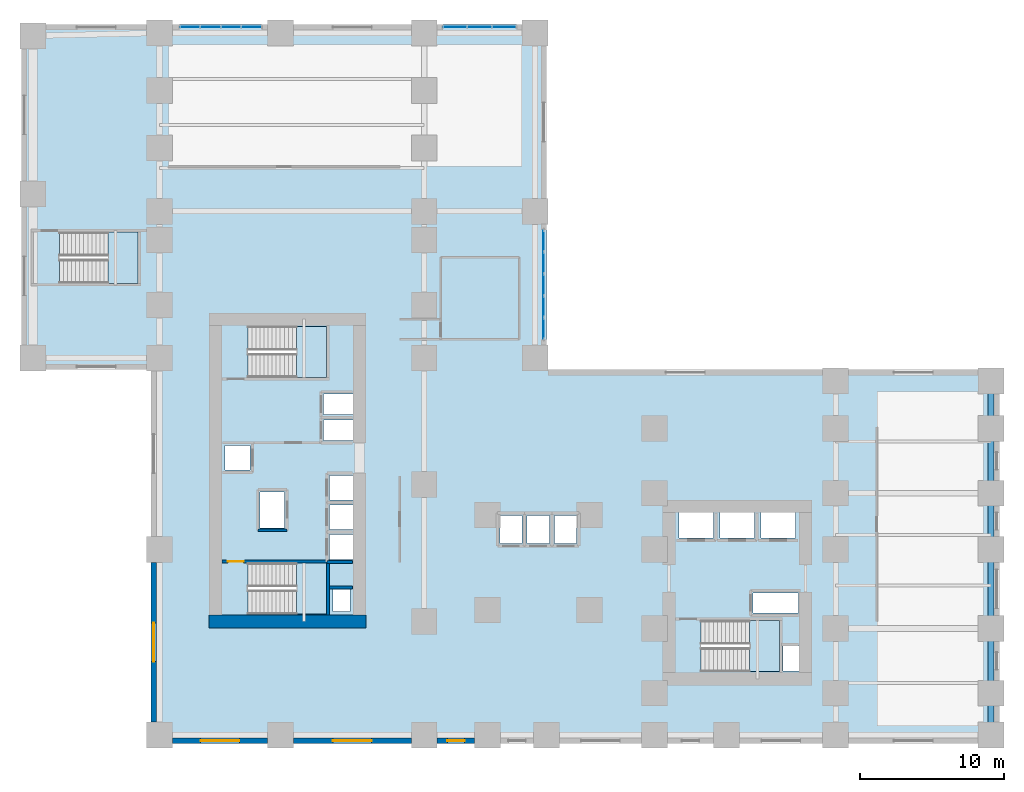
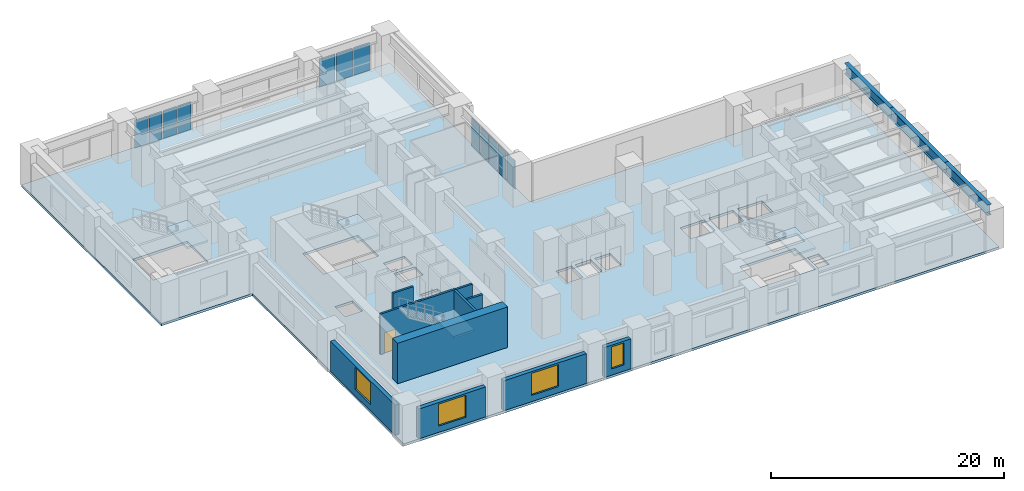
# One storey, part 6 of 13: 12 plates, 10 walls, 5 slabs, 4 windows, 3 beams, 1 door, 5 openings, 7 elements without a shape of their own.
"""IFC4 building model written with IfcOpenShell, lengths in metres."""

import ifcopenshell
import ifcopenshell.guid

model = None  # the IFC model being written
_history = None  # IfcOwnerHistory: only IFC2X3 demands one
_inside = {}  # id of a spatial element -> (the spatial element, [elements in it])
_under = {}  # id of a project, library or spatial element -> (it, [spatial elements below it])
_declared = {}  # id of a project -> (the project, [libraries it declares])
_typed = {}  # id of a type object -> (the type object, [elements of that type])
_made_of = {}  # id of a material, layer set ... -> (it, [elements and type objects made of it])


def new_model(schema):
    """Start an empty IFC model of exactly this schema.

    Asked for "IFC4X3", IfcOpenShell would pick the latest addendum, in which some entities
    have other attributes; the version numbers below select the first issue.
    IFC2X3 requires an IfcOwnerHistory on every rooted entity: one is made here for all.
    """
    global model, _history
    if schema == "IFC4X3":
        model = ifcopenshell.file(schema_version=(4, 3, 0, 0))
    else:
        model = ifcopenshell.file(schema=schema)
    _inside.clear()
    _under.clear()
    _declared.clear()
    _typed.clear()
    _made_of.clear()
    _history = None
    if model.schema == "IFC2X3":
        org = make("IfcOrganization", Name="unknown")
        user = make(
            "IfcPersonAndOrganization",
            ThePerson=make("IfcPerson", FamilyName="unknown"),
            TheOrganization=org,
        )
        app = make(
            "IfcApplication",
            ApplicationDeveloper=org,
            Version="unknown",
            ApplicationFullName="unknown",
            ApplicationIdentifier="unknown",
        )
        _history = make(
            "IfcOwnerHistory",
            OwningUser=user,
            OwningApplication=app,
            ChangeAction="ADDED",
            CreationDate=0,
        )
    return model


def make(cls, **values):
    """One entity of the class cls with the attributes given. An attribute that is None is left unset."""
    return model.create_entity(
        cls, **{name: value for name, value in values.items() if value is not None}
    )


def rooted(cls, **values):
    """An entity with a GlobalId (a new one), such as an element, a storey or a relation."""
    return make(cls, GlobalId=ifcopenshell.guid.new(), OwnerHistory=_history, **values)


def si_unit(unit_type, name, prefix=None):
    """IfcSIUnit, for example si_unit("LENGTHUNIT", "METRE", prefix="MILLI")."""
    return make("IfcSIUnit", UnitType=unit_type, Prefix=prefix, Name=name)


def assignment(units):
    """IfcUnitAssignment: the units of a project."""
    return None if units is None else make("IfcUnitAssignment", Units=units)


def point(xyz):
    """IfcCartesianPoint."""
    return None if xyz is None else make("IfcCartesianPoint", Coordinates=xyz)


def direction(xyz):
    """IfcDirection."""
    return None if xyz is None else make("IfcDirection", DirectionRatios=xyz)


def frame(location, z_axis=None, x_axis=None):
    """IfcAxis2Placement3D, a coordinate frame: its origin and axes. An axis left out is left unset."""
    return make(
        "IfcAxis2Placement3D",
        Location=point(location),
        Axis=direction(z_axis),
        RefDirection=direction(x_axis),
    )


def frame_2d(location, x_axis=None):
    """IfcAxis2Placement2D, a coordinate frame in the plane: its origin and x axis."""
    return make(
        "IfcAxis2Placement2D", Location=point(location), RefDirection=direction(x_axis)
    )


def origin():
    """The frame at (0, 0, 0) with its axes left unset."""
    return frame((0.0, 0.0, 0.0))


def origin_2d():
    """The frame at (0, 0) in the plane with its x axis left unset."""
    return frame_2d((0.0, 0.0))


def place(relative_to, where):
    """IfcLocalPlacement: puts the frame where relative to a parent placement (None: the world)."""
    return make(
        "IfcLocalPlacement", PlacementRelTo=relative_to, RelativePlacement=where
    )


def context(
    kind, dimensions, precision=None, world=None, true_north=None, identifier=None
):
    """IfcGeometricRepresentationContext, for example the 3D "Model" context."""
    return make(
        "IfcGeometricRepresentationContext",
        ContextIdentifier=identifier,
        ContextType=kind,
        CoordinateSpaceDimension=dimensions,
        Precision=precision,
        WorldCoordinateSystem=world,
        TrueNorth=true_north,
    )


def subcontext(parent, identifier, kind, view, scale=None):
    """IfcGeometricRepresentationSubContext, for example "Body" below "Model"."""
    return make(
        "IfcGeometricRepresentationSubContext",
        ContextIdentifier=identifier,
        ContextType=kind,
        ParentContext=parent,
        TargetScale=scale,
        TargetView=view,
    )


def project(units=None, contexts=None):
    """IfcProject with its units and contexts."""
    return rooted(
        "IfcProject",
        Name="project",
        RepresentationContexts=contexts,
        UnitsInContext=assignment(units),
    )


def spatial(cls, under=None, at=None, **own):
    """A site, building, storey or space (cls), placed at a placement, below another one or the project."""
    s = rooted(cls, ObjectPlacement=at, **own)
    if under is not None:
        _under.setdefault(under.id(), (under, []))[1].append(s)
    return s


def polyline(points):
    """IfcPolyline through the points."""
    return make("IfcPolyline", Points=[point(p) for p in points])


def profile(cls, at=None, kind="AREA", **sizes):
    """A parametric profile (cls). Its sizes go by their IFC names, for example OverallWidth=200.0."""
    return make(cls, ProfileType=kind, Position=at, **sizes)


def rectangle(**sizes):
    """IfcRectangleProfileDef."""
    return profile("IfcRectangleProfileDef", **sizes)


def i_section(**sizes):
    """IfcIShapeProfileDef."""
    return profile("IfcIShapeProfileDef", **sizes)


def outline(outer, holes=None, kind="AREA"):
    """IfcArbitraryClosedProfileDef: a profile drawn as a closed curve; with holes, ...WithVoids."""
    if holes is None:
        return make("IfcArbitraryClosedProfileDef", ProfileType=kind, OuterCurve=outer)
    return make(
        "IfcArbitraryProfileDefWithVoids",
        ProfileType=kind,
        OuterCurve=outer,
        InnerCurves=holes,
    )


def extrude(swept, where, along, depth):
    """IfcExtrudedAreaSolid: the profile swept, set in the frame where, extruded along a direction by depth."""
    return make(
        "IfcExtrudedAreaSolid",
        SweptArea=swept,
        Position=where,
        ExtrudedDirection=direction(along),
        Depth=depth,
    )


def shape(context_of_items, identifier, shape_type, items):
    """IfcShapeRepresentation: the items that make up one representation, for example the "Body"."""
    return make(
        "IfcShapeRepresentation",
        ContextOfItems=context_of_items,
        RepresentationIdentifier=identifier,
        RepresentationType=shape_type,
        Items=items,
    )


def source(mapping_origin, context_of_items, identifier, shape_type, items):
    """IfcRepresentationMap: a shape defined once, which mapped items show again and again."""
    return make(
        "IfcRepresentationMap",
        MappingOrigin=mapping_origin,
        MappedRepresentation=shape(context_of_items, identifier, shape_type, items),
    )


def transform(
    local_origin,
    x_axis=None,
    y_axis=None,
    z_axis=None,
    scale=None,
    scale2=None,
    scale3=None,
    uniform=True,
):
    """IfcCartesianTransformationOperator3D, or its non-uniform kind. x_axis, y_axis, z_axis: its Axis1, 2, 3."""
    if uniform:
        return make(
            "IfcCartesianTransformationOperator3D",
            Axis1=direction(x_axis),
            Axis2=direction(y_axis),
            LocalOrigin=point(local_origin),
            Scale=scale,
            Axis3=direction(z_axis),
        )
    return make(
        "IfcCartesianTransformationOperator3DnonUniform",
        Axis1=direction(x_axis),
        Axis2=direction(y_axis),
        LocalOrigin=point(local_origin),
        Scale=scale,
        Axis3=direction(z_axis),
        Scale2=scale2,
        Scale3=scale3,
    )


def mapped(mapping_source, mapping_target):
    """IfcMappedItem: shows the shape of a source again, moved by a transform."""
    return make(
        "IfcMappedItem", MappingSource=mapping_source, MappingTarget=mapping_target
    )


def material(Name=None, Category=None):
    """IfcMaterial."""
    return make("IfcMaterial", Name=Name, Category=Category)


def layer(
    of_material, thickness, ventilated=None, Name=None, Category=None, Priority=None
):
    """IfcMaterialLayer: one layer of a wall or slab, of a material (None: an air gap)."""
    return make(
        "IfcMaterialLayer",
        Material=of_material,
        LayerThickness=thickness,
        IsVentilated=ventilated,
        Name=Name,
        Category=Category,
        Priority=Priority,
    )


def layer_set(layers, Name=None):
    """IfcMaterialLayerSet."""
    return make("IfcMaterialLayerSet", MaterialLayers=layers, LayerSetName=Name)


def material_profile(
    of_material, cross_section, Name=None, Category=None, Priority=None
):
    """IfcMaterialProfile: a cross section and its material."""
    return make(
        "IfcMaterialProfile",
        Name=Name,
        Material=of_material,
        Profile=cross_section,
        Priority=Priority,
        Category=Category,
    )


def profile_set(profiles, Name=None, composite=None):
    """IfcMaterialProfileSet."""
    return make(
        "IfcMaterialProfileSet",
        Name=Name,
        MaterialProfiles=profiles,
        CompositeProfile=composite,
    )


def made_of(thing, what):
    """Note that an element or type object is made of a material, layer set ...; save() writes the relation."""
    if what is not None:
        _made_of.setdefault(what.id(), (what, []))[1].append(thing)
    return thing


def type_object(cls, material=None, **own):
    """A type object (cls), such as IfcWallType, which elements share."""
    return made_of(rooted(cls, **own), material)


def element(
    cls,
    number,
    at=None,
    inside=None,
    cuts=None,
    type_object=None,
    material=None,
    context=None,
    identifier="Body",
    shape_type=None,
    held_by="IfcProductDefinitionShape",
    body=None,
    shapes=None,
    **own,
):
    """One element of the class cls, such as IfcWall. Its Tag is "e" and its number.

    at: its placement. inside: the storey or other place that contains it. cuts: it is an
    opening in that element (IfcRelVoidsElement). A single representation is given by context,
    identifier, shape_type and body (its items); several are given by shapes. held_by: the class
    of the entity that holds the representations. save() writes the other relations.
    """
    e = rooted(cls, Tag="e%d" % number, ObjectPlacement=at, **own)
    if body is not None:
        shapes = [shape(context, identifier, shape_type, body)]
    if shapes is not None:
        e.Representation = make(held_by, Representations=shapes)
    if inside is not None:
        _inside.setdefault(inside.id(), (inside, []))[1].append(e)
    if cuts is not None:
        rooted(
            "IfcRelVoidsElement", RelatingBuildingElement=cuts, RelatedOpeningElement=e
        )
    if type_object is not None:
        _typed.setdefault(type_object.id(), (type_object, []))[1].append(e)
    return made_of(e, material)


def fill(opening, filler):
    """IfcRelFillsElement: the door or window that sits in an opening."""
    return rooted(
        "IfcRelFillsElement",
        RelatingOpeningElement=opening,
        RelatedBuildingElement=filler,
    )


def aggregate(whole, parts):
    """IfcRelAggregates: a whole, such as a stair, and the parts it consists of."""
    return rooted("IfcRelAggregates", RelatingObject=whole, RelatedObjects=parts)


def save(model, path):
    """Write the relations noted so far, then the file.

    IfcRelAggregates (storeys below a building ...), IfcRelContainedInSpatialStructure (elements
    in a storey), IfcRelDefinesByType, IfcRelAssociatesMaterial and IfcRelDeclares: one each for
    every whole, place, type object, material and project.
    """
    for whole, parts in _under.values():
        aggregate(whole, parts)
    for where, things in _inside.values():
        rooted(
            "IfcRelContainedInSpatialStructure",
            RelatedElements=things,
            RelatingStructure=where,
        )
    for kind, things in _typed.values():
        rooted("IfcRelDefinesByType", RelatedObjects=things, RelatingType=kind)
    for what, things in _made_of.values():
        rooted("IfcRelAssociatesMaterial", RelatedObjects=things, RelatingMaterial=what)
    for by, libraries in _declared.values():
        rooted("IfcRelDeclares", RelatingContext=by, RelatedDefinitions=libraries)
    model.write(path)


model = new_model("IFC4")

# Units and contexts
model_context = context("Model", 3, precision=1e-05, world=origin(), true_north=direction((0.0, 1.0)))
body_context = subcontext(model_context, "Body", "Model", "MODEL_VIEW")
ifc_project = project(units=[si_unit("LENGTHUNIT", "METRE"), si_unit("AREAUNIT", "SQUARE_METRE"), si_unit("VOLUMEUNIT", "CUBIC_METRE"), si_unit("PLANEANGLEUNIT", "RADIAN"), si_unit("MASSUNIT", "GRAM", prefix="KILO")], contexts=[model_context])

# Site, building, storey
site_placement = place(None, origin())
site = spatial("IfcSite", under=ifc_project, at=site_placement, CompositionType="ELEMENT")
building_placement = place(site_placement, origin())
building = spatial("IfcBuilding", under=site, at=building_placement, Name="Kharzan Plaza Tower", CompositionType="ELEMENT")
storey_placement = place(building_placement, frame((0.0, 0.0, 4.5)))
storey = spatial("IfcBuildingStorey", under=building, at=storey_placement, Name="L01", CompositionType="ELEMENT", Elevation=4.5)

# Beams
ifc_material_1 = material(Name="Steel S355", Category="steel")
ifc_material_profile = material_profile(ifc_material_1, i_section(OverallWidth=0.39990234375, OverallDepth=1.10009765625, WebThickness=0.02001953125, FlangeThickness=0.035888671875, at=origin_2d()), Name="W1100x390")
ifc_profile_set = profile_set([ifc_material_profile], Name="Steel S355")
beam_type = type_object("IfcBeamType", Name="BM-PG1100B", PredefinedType="BEAM", material=ifc_profile_set)
shared_shape_1 = source(origin(), body_context, "Body", "SweptSolid", [
    extrude(i_section(OverallWidth=0.39990234375, OverallDepth=1.10009765625, WebThickness=0.02001953125, FlangeThickness=0.035888671875, at=origin_2d()), origin(), (0.0, 0.0, 1.0), 7.39990234375),
])
beam_1_placement = place(storey_placement, frame((58.39990234375, 0.60009765625, 3.699951171875), z_axis=(0.0, 1.0, 0.0), x_axis=(-1.0, 0.0, 0.0)))
element("IfcBeam", 1, at=beam_1_placement, inside=storey, type_object=beam_type, Name="L01 Podium Primary Girder PG-25", PredefinedType="BEAM", context=body_context, shape_type="MappedRepresentation", body=[
    mapped(shared_shape_1, transform((0.0, 0.0, 0.0), x_axis=(1.0, 0.0, 0.0), y_axis=(0.0, 1.0, 0.0), z_axis=(0.0, 0.0, 1.0))),
])
shared_shape_2 = source(origin(), body_context, "Body", "SweptSolid", [
    extrude(i_section(OverallWidth=0.39990234375, OverallDepth=1.10009765625, WebThickness=0.02001953125, FlangeThickness=0.035888671875, at=origin_2d()), origin(), (0.0, 0.0, 1.0), 9.39990234375),
])
beam_2_placement = place(storey_placement, frame((58.39990234375, 8.0, 3.699951171875), z_axis=(0.0, 1.0, 0.0), x_axis=(-1.0, 0.0, 0.0)))
element("IfcBeam", 2, at=beam_2_placement, inside=storey, type_object=beam_type, Name="L01 Podium Primary Girder PG-26", PredefinedType="BEAM", context=body_context, shape_type="MappedRepresentation", body=[
    mapped(shared_shape_2, transform((0.0, 0.0, 0.0), x_axis=(1.0, 0.0, 0.0), y_axis=(0.0, 1.0, 0.0), z_axis=(0.0, 0.0, 1.0))),
])
shared_shape_3 = source(origin(), body_context, "Body", "SweptSolid", [
    extrude(i_section(OverallWidth=0.39990234375, OverallDepth=1.10009765625, WebThickness=0.02001953125, FlangeThickness=0.035888671875, at=origin_2d()), origin(), (0.0, 0.0, 1.0), 7.800048828125),
])
beam_3_placement = place(storey_placement, frame((58.39990234375, 17.39990234375, 3.699951171875), z_axis=(0.0, 1.0, 0.0), x_axis=(-1.0, 0.0, 0.0)))
element("IfcBeam", 3, at=beam_3_placement, inside=storey, type_object=beam_type, Name="L01 Podium Primary Girder PG-27", PredefinedType="BEAM", context=body_context, shape_type="MappedRepresentation", body=[
    mapped(shared_shape_3, transform((0.0, 0.0, 0.0), x_axis=(1.0, 0.0, 0.0), y_axis=(0.0, 1.0, 0.0), z_axis=(0.0, 0.0, 1.0))),
])

# Slab
ifc_material_2 = material(Name="Concrete C40/50", Category="concrete")
ifc_layer_1 = layer(ifc_material_2, 0.25)
ifc_layer_set_1 = layer_set([ifc_layer_1], Name="Concrete C40/50")
slab_type_1 = type_object("IfcSlabType", Name="SL-FLOOR-250", PredefinedType="FLOOR", material=ifc_layer_set_1)
slab_1_placement = place(storey_placement, frame((0.0, 0.0, -0.25)))
element("IfcSlab", 4, at=slab_1_placement, inside=storey, type_object=slab_type_1, Name="L01 Composite Structural Floor Slab 250 mm", PredefinedType="FLOOR", context=body_context, shape_type="SweptSolid", body=[
    extrude(outline(polyline([(59.0, 0.0), (59.0, 26.0), (27.5, 26.0), (27.5, 50.0), (-9.0, 50.0), (-9.0, 26.0), (0.0, 26.0), (0.0, 0.0), (59.0, 0.0)]), holes=[polyline([(12.199951171875, 9.0), (12.199951171875, 12.550048828125), (6.75, 12.550048828125), (6.75, 9.0), (12.199951171875, 9.0)]), polyline([(14.10009765625, 12.800048828125), (14.10009765625, 14.530029296875), (12.39990234375, 14.530029296875), (12.39990234375, 12.800048828125), (14.10009765625, 12.800048828125)]), polyline([(14.10009765625, 14.8701171875), (14.10009765625, 16.60009765625), (12.39990234375, 16.60009765625), (12.39990234375, 14.8701171875), (14.10009765625, 14.8701171875)]), polyline([(7.60009765625, 15.0), (9.300048828125, 15.0), (9.300048828125, 17.5), (7.60009765625, 17.5), (7.60009765625, 15.0)]), polyline([(12.39990234375, 16.93994140625), (14.10009765625, 16.93994140625), (14.10009765625, 18.64990234375), (12.39990234375, 18.64990234375), (12.39990234375, 16.93994140625)]), polyline([(6.89990234375, 19.010009765625), (6.89990234375, 20.72998046875), (5.14990234375, 20.72998046875), (5.14990234375, 19.010009765625), (6.89990234375, 19.010009765625)]), polyline([(14.10009765625, 21.070068359375), (14.10009765625, 22.489990234375), (12.0, 22.489990234375), (12.0, 21.070068359375), (14.10009765625, 21.070068359375)]), polyline([(14.10009765625, 22.8701171875), (14.10009765625, 24.2900390625), (12.0, 24.2900390625), (12.0, 22.8701171875), (14.10009765625, 22.8701171875)]), polyline([(6.75, 25.449951171875), (12.199951171875, 25.449951171875), (12.199951171875, 29.0), (6.75, 29.0), (6.75, 25.449951171875)]), polyline([(-6.35009765625, 32.0), (-0.89990234375, 32.0), (-0.89990234375, 35.550048828125), (-6.35009765625, 35.550048828125), (-6.35009765625, 32.0)]), polyline([(45.050048828125, 5.050048828125), (45.050048828125, 6.800048828125), (43.949951171875, 6.800048828125), (43.949951171875, 5.050048828125), (45.050048828125, 5.050048828125)]), polyline([(43.699951171875, 5.0), (43.699951171875, 8.550048828125), (38.25, 8.550048828125), (38.25, 5.0), (43.699951171875, 5.0)]), polyline([(45.0, 9.070068359375), (45.0, 10.469970703125), (41.85009765625, 10.469970703125), (41.85009765625, 9.070068359375), (45.0, 9.070068359375)]), polyline([(12.64990234375, 9.199951171875), (13.85009765625, 9.199951171875), (13.85009765625, 10.699951171875), (12.64990234375, 10.699951171875), (12.64990234375, 9.199951171875)]), polyline([(24.25, 13.89990234375), (25.800048828125, 13.89990234375), (25.800048828125, 15.85009765625), (24.25, 15.85009765625), (24.25, 13.89990234375)]), polyline([(27.699951171875, 13.89990234375), (27.699951171875, 15.85009765625), (26.14990234375, 15.85009765625), (26.14990234375, 13.89990234375), (27.699951171875, 13.89990234375)]), polyline([(29.60009765625, 13.89990234375), (29.60009765625, 15.85009765625), (28.050048828125, 15.85009765625), (28.050048828125, 13.89990234375), (29.60009765625, 13.89990234375)]), polyline([(39.10009765625, 14.300048828125), (39.10009765625, 16.14990234375), (36.699951171875, 16.14990234375), (36.699951171875, 14.300048828125), (39.10009765625, 14.300048828125)]), polyline([(39.550048828125, 14.300048828125), (41.949951171875, 14.300048828125), (41.949951171875, 16.14990234375), (39.550048828125, 16.14990234375), (39.550048828125, 14.300048828125)]), polyline([(42.39990234375, 14.300048828125), (44.800048828125, 14.300048828125), (44.800048828125, 16.14990234375), (42.39990234375, 16.14990234375), (42.39990234375, 14.300048828125)])]), origin(), (0.0, 0.0, 1.0), 0.25),
])

# Stair, slab
stair_type_1 = type_object("IfcStairType", Name="STR-ST-1", PredefinedType="HALF_TURN_STAIR", material=ifc_material_2)
stair_1_placement = place(storey_placement, origin())
stair_1 = element("IfcStair", 5, at=stair_1_placement, inside=storey, type_object=stair_type_1, Name="L01 Protected Exit Stair ST-1", PredefinedType="HALF_TURN_STAIR")
ifc_layer_2 = layer(ifc_material_2, 0.219970703125)
ifc_layer_set_2 = layer_set([ifc_layer_2], Name="Concrete C40/50")
slab_type_2 = type_object("IfcSlabType", Name="SL-LANDING-220", PredefinedType="LANDING", material=ifc_layer_set_2)
slab_2_placement = place(storey_placement, frame((0.0, 0.0, 2.050048828125)))
slab_2 = element("IfcSlab", 6, at=slab_2_placement, type_object=slab_type_2, Name="ST-1 landing 1", PredefinedType="LANDING", context=body_context, shape_type="SweptSolid", body=[
    extrude(outline(polyline([(10.110107421875, 9.0), (12.199951171875, 9.0), (12.199951171875, 12.550048828125), (10.110107421875, 12.550048828125), (10.110107421875, 9.0)])), origin(), (0.0, 0.0, 1.0), 0.199951171875),
])
aggregate(stair_1, [slab_2])

stair_type_2 = type_object("IfcStairType", Name="STR-ST-2", PredefinedType="HALF_TURN_STAIR", material=ifc_material_2)
stair_2_placement = place(storey_placement, origin())
stair_2 = element("IfcStair", 7, at=stair_2_placement, inside=storey, type_object=stair_type_2, Name="L01 Protected Exit Stair ST-2", PredefinedType="HALF_TURN_STAIR")
slab_3_placement = place(storey_placement, frame((0.0, 0.0, 2.050048828125)))
slab_3 = element("IfcSlab", 8, at=slab_3_placement, type_object=slab_type_2, Name="ST-2 landing 1", PredefinedType="LANDING", context=body_context, shape_type="SweptSolid", body=[
    extrude(outline(polyline([(10.110107421875, 25.449951171875), (12.199951171875, 25.449951171875), (12.199951171875, 29.0), (10.110107421875, 29.0), (10.110107421875, 25.449951171875)])), origin(), (0.0, 0.0, 1.0), 0.199951171875),
])
aggregate(stair_2, [slab_3])

stair_type_3 = type_object("IfcStairType", Name="STR-ST-3", PredefinedType="HALF_TURN_STAIR", material=ifc_material_2)
stair_3_placement = place(storey_placement, origin())
stair_3 = element("IfcStair", 9, at=stair_3_placement, inside=storey, type_object=stair_type_3, Name="L01 Protected Exit Stair ST-3", PredefinedType="HALF_TURN_STAIR")
slab_4_placement = place(storey_placement, frame((0.0, 0.0, 2.050048828125)))
slab_4 = element("IfcSlab", 10, at=slab_4_placement, type_object=slab_type_2, Name="ST-3 landing 1", PredefinedType="LANDING", context=body_context, shape_type="SweptSolid", body=[
    extrude(outline(polyline([(41.610107421875, 5.0), (43.699951171875, 5.0), (43.699951171875, 8.550048828125), (41.610107421875, 8.550048828125), (41.610107421875, 5.0)])), origin(), (0.0, 0.0, 1.0), 0.199951171875),
])
aggregate(stair_3, [slab_4])

stair_type_4 = type_object("IfcStairType", Name="STR-ST-4", PredefinedType="HALF_TURN_STAIR", material=ifc_material_2)
stair_4_placement = place(storey_placement, origin())
stair_4 = element("IfcStair", 11, at=stair_4_placement, inside=storey, type_object=stair_type_4, Name="L01 Podium Exit Stair ST-4", PredefinedType="HALF_TURN_STAIR")
slab_5_placement = place(storey_placement, frame((0.0, 0.0, 2.050048828125)))
slab_5 = element("IfcSlab", 12, at=slab_5_placement, type_object=slab_type_2, Name="ST-4 landing 1", PredefinedType="LANDING", context=body_context, shape_type="SweptSolid", body=[
    extrude(outline(polyline([(-2.989990234375, 32.0), (-0.89990234375, 32.0), (-0.89990234375, 35.550048828125), (-2.989990234375, 35.550048828125), (-2.989990234375, 32.0)])), origin(), (0.0, 0.0, 1.0), 0.199951171875),
])
aggregate(stair_4, [slab_5])

# Curtain wall, plates
ifc_material_3 = material(Name="Unitised Bronze-Anodized Aluminium and Low-E Glass", Category="aluminium")
ifc_layer_3 = layer(ifc_material_3, 0.199951171875)
ifc_layer_set_3 = layer_set([ifc_layer_3], Name="Unitised Bronze-Anodized Aluminium and Low-E Glass")
curtain_wall_type_1 = type_object("IfcCurtainWallType", Name="CW-PODIUM-1", PredefinedType="NOTDEFINED", material=ifc_layer_set_3)
curtain_wall_1_placement = place(storey_placement, origin())
curtain_wall_1 = element("IfcCurtainWall", 13, at=curtain_wall_1_placement, inside=storey, type_object=curtain_wall_type_1, Name="L01 Podium North Gallery Curtain Wall", PredefinedType="NOTDEFINED")
ifc_material_4 = material(Name="Dark Solar-Control Double Glazing", Category="glass")
ifc_layer_4 = layer(ifc_material_4, 0.031982421875)
ifc_layer_set_4 = layer_set([ifc_layer_4], Name="Dark Solar-Control Double Glazing")
plate_type = type_object("IfcPlateType", Name="PLT-CW-GLASS", PredefinedType="CURTAIN_PANEL", material=ifc_layer_set_4)
shared_shape_4 = source(origin(), body_context, "Body", "SweptSolid", [
    extrude(rectangle(XDim=1.580078125, YDim=0.031982421875, at=origin_2d()), origin(), (0.0, 0.0, 1.0), 2.93994140625),
])
plate_1_placement = place(storey_placement, frame((21.14990234375, 49.800048828125, 0.080078125), z_axis=(0.0, 0.0, 1.0), x_axis=(1.0, 0.0, 0.0)))
plate_1 = element("IfcPlate", 14, at=plate_1_placement, type_object=plate_type, Name="L01 Curtain-Wall Glazed Panel 00", PredefinedType="CURTAIN_PANEL", context=body_context, shape_type="MappedRepresentation", body=[
    mapped(shared_shape_4, transform((0.0, 0.0, 0.0), x_axis=(1.0, 0.0, 0.0), y_axis=(0.0, 1.0, 0.0), z_axis=(0.0, 0.0, 1.0))),
])
plate_2_placement = place(storey_placement, frame((22.85009765625, 49.800048828125, 0.080078125), z_axis=(0.0, 0.0, 1.0), x_axis=(1.0, 0.0, 0.0)))
plate_2 = element("IfcPlate", 15, at=plate_2_placement, type_object=plate_type, Name="L01 Curtain-Wall Glazed Panel 01", PredefinedType="CURTAIN_PANEL", context=body_context, shape_type="MappedRepresentation", body=[
    mapped(shared_shape_4, transform((0.0, 0.0, 0.0), x_axis=(1.0, 0.0, 0.0), y_axis=(0.0, 1.0, 0.0), z_axis=(0.0, 0.0, 1.0))),
])
plate_3_placement = place(storey_placement, frame((24.550048828125, 49.800048828125, 0.080078125), z_axis=(0.0, 0.0, 1.0), x_axis=(1.0, 0.0, 0.0)))
plate_3 = element("IfcPlate", 16, at=plate_3_placement, type_object=plate_type, Name="L01 Curtain-Wall Glazed Panel 02", PredefinedType="CURTAIN_PANEL", context=body_context, shape_type="MappedRepresentation", body=[
    mapped(shared_shape_4, transform((0.0, 0.0, 0.0), x_axis=(1.0, 0.0, 0.0), y_axis=(0.0, 1.0, 0.0), z_axis=(0.0, 0.0, 1.0))),
])
aggregate(curtain_wall_1, [plate_1, plate_2, plate_3])

ifc_layer_5 = layer(ifc_material_3, 0.199951171875)
ifc_layer_set_5 = layer_set([ifc_layer_5], Name="Unitised Bronze-Anodized Aluminium and Low-E Glass")
curtain_wall_type_2 = type_object("IfcCurtainWallType", Name="CW-PLAZA-2", PredefinedType="NOTDEFINED", material=ifc_layer_set_5)
curtain_wall_2_placement = place(storey_placement, origin())
curtain_wall_2 = element("IfcCurtainWall", 17, at=curtain_wall_2_placement, inside=storey, type_object=curtain_wall_type_2, Name="L01 Mezzanine Oculus Colonnade Gallery Curtain Wall", PredefinedType="NOTDEFINED")
shared_shape_5 = source(origin(), body_context, "Body", "SweptSolid", [
    extrude(rectangle(XDim=1.39990234375, YDim=0.031982421875, at=origin_2d()), origin(), (0.0, 0.0, 1.0), 2.93994140625),
])
plate_4_placement = place(storey_placement, frame((27.300048828125, 28.860107421875, 0.080078125), z_axis=(0.0, 0.0, 1.0), x_axis=(0.0, 1.0, 0.0)))
plate_4 = element("IfcPlate", 18, at=plate_4_placement, type_object=plate_type, Name="L01 Curtain-Wall Glazed Panel 00", PredefinedType="CURTAIN_PANEL", context=body_context, shape_type="MappedRepresentation", body=[
    mapped(shared_shape_5, transform((0.0, 0.0, 0.0), x_axis=(1.0, 0.0, 0.0), y_axis=(0.0, 1.0, 0.0), z_axis=(0.0, 0.0, 1.0))),
])
plate_5_placement = place(storey_placement, frame((27.300048828125, 30.3798828125, 0.080078125), z_axis=(0.0, 0.0, 1.0), x_axis=(0.0, 1.0, 0.0)))
plate_5 = element("IfcPlate", 19, at=plate_5_placement, type_object=plate_type, Name="L01 Curtain-Wall Glazed Panel 01", PredefinedType="CURTAIN_PANEL", context=body_context, shape_type="MappedRepresentation", body=[
    mapped(shared_shape_5, transform((0.0, 0.0, 0.0), x_axis=(1.0, 0.0, 0.0), y_axis=(0.0, 1.0, 0.0), z_axis=(0.0, 0.0, 1.0))),
])
plate_6_placement = place(storey_placement, frame((27.300048828125, 31.89990234375, 0.080078125), z_axis=(0.0, 0.0, 1.0), x_axis=(0.0, 1.0, 0.0)))
plate_6 = element("IfcPlate", 20, at=plate_6_placement, type_object=plate_type, Name="L01 Curtain-Wall Glazed Panel 02", PredefinedType="CURTAIN_PANEL", context=body_context, shape_type="MappedRepresentation", body=[
    mapped(shared_shape_5, transform((0.0, 0.0, 0.0), x_axis=(1.0, 0.0, 0.0), y_axis=(0.0, 1.0, 0.0), z_axis=(0.0, 0.0, 1.0))),
])
plate_7_placement = place(storey_placement, frame((27.300048828125, 33.419921875, 0.080078125), z_axis=(0.0, 0.0, 1.0), x_axis=(0.0, 1.0, 0.0)))
plate_7 = element("IfcPlate", 21, at=plate_7_placement, type_object=plate_type, Name="L01 Curtain-Wall Glazed Panel 03", PredefinedType="CURTAIN_PANEL", context=body_context, shape_type="MappedRepresentation", body=[
    mapped(shared_shape_5, transform((0.0, 0.0, 0.0), x_axis=(1.0, 0.0, 0.0), y_axis=(0.0, 1.0, 0.0), z_axis=(0.0, 0.0, 1.0))),
])
plate_8_placement = place(storey_placement, frame((27.300048828125, 34.93994140625, 0.080078125), z_axis=(0.0, 0.0, 1.0), x_axis=(0.0, 1.0, 0.0)))
plate_8 = element("IfcPlate", 22, at=plate_8_placement, type_object=plate_type, Name="L01 Curtain-Wall Glazed Panel 04", PredefinedType="CURTAIN_PANEL", context=body_context, shape_type="MappedRepresentation", body=[
    mapped(shared_shape_5, transform((0.0, 0.0, 0.0), x_axis=(1.0, 0.0, 0.0), y_axis=(0.0, 1.0, 0.0), z_axis=(0.0, 0.0, 1.0))),
])
aggregate(curtain_wall_2, [plate_4, plate_5, plate_6, plate_7, plate_8])

curtain_wall_3_placement = place(storey_placement, origin())
curtain_wall_3 = element("IfcCurtainWall", 23, at=curtain_wall_3_placement, inside=storey, type_object=curtain_wall_type_1, Name="L01 Podium West Gallery Curtain Wall", PredefinedType="NOTDEFINED")
shared_shape_6 = source(origin(), body_context, "Body", "SweptSolid", [
    extrude(rectangle(XDim=1.304931640625, YDim=0.031982421875, at=origin_2d()), origin(), (0.0, 0.0, 1.0), 2.93994140625),
])
plate_9_placement = place(storey_placement, frame((2.71240234375, 49.800048828125, 0.080078125), z_axis=(0.0, 0.0, 1.0), x_axis=(1.0, 0.0, 0.0)))
plate_9 = element("IfcPlate", 24, at=plate_9_placement, type_object=plate_type, Name="L01 Curtain-Wall Glazed Panel 00", PredefinedType="CURTAIN_PANEL", context=body_context, shape_type="MappedRepresentation", body=[
    mapped(shared_shape_6, transform((0.0, 0.0, 0.0), x_axis=(1.0, 0.0, 0.0), y_axis=(0.0, 1.0, 0.0), z_axis=(0.0, 0.0, 1.0))),
])
plate_10_placement = place(storey_placement, frame((4.137451171875, 49.800048828125, 0.080078125), z_axis=(0.0, 0.0, 1.0), x_axis=(1.0, 0.0, 0.0)))
plate_10 = element("IfcPlate", 25, at=plate_10_placement, type_object=plate_type, Name="L01 Curtain-Wall Glazed Panel 01", PredefinedType="CURTAIN_PANEL", context=body_context, shape_type="MappedRepresentation", body=[
    mapped(shared_shape_6, transform((0.0, 0.0, 0.0), x_axis=(1.0, 0.0, 0.0), y_axis=(0.0, 1.0, 0.0), z_axis=(0.0, 0.0, 1.0))),
])
plate_11_placement = place(storey_placement, frame((5.5625, 49.800048828125, 0.080078125), z_axis=(0.0, 0.0, 1.0), x_axis=(1.0, 0.0, 0.0)))
plate_11 = element("IfcPlate", 26, at=plate_11_placement, type_object=plate_type, Name="L01 Curtain-Wall Glazed Panel 02", PredefinedType="CURTAIN_PANEL", context=body_context, shape_type="MappedRepresentation", body=[
    mapped(shared_shape_6, transform((0.0, 0.0, 0.0), x_axis=(1.0, 0.0, 0.0), y_axis=(0.0, 1.0, 0.0), z_axis=(0.0, 0.0, 1.0))),
])
plate_12_placement = place(storey_placement, frame((6.987548828125, 49.800048828125, 0.080078125), z_axis=(0.0, 0.0, 1.0), x_axis=(1.0, 0.0, 0.0)))
plate_12 = element("IfcPlate", 27, at=plate_12_placement, type_object=plate_type, Name="L01 Curtain-Wall Glazed Panel 03", PredefinedType="CURTAIN_PANEL", context=body_context, shape_type="MappedRepresentation", body=[
    mapped(shared_shape_6, transform((0.0, 0.0, 0.0), x_axis=(1.0, 0.0, 0.0), y_axis=(0.0, 1.0, 0.0), z_axis=(0.0, 0.0, 1.0))),
])
aggregate(curtain_wall_3, [plate_9, plate_10, plate_11, plate_12])

# Wall, opening, window
ifc_layer_6 = layer(ifc_material_2, 0.39990234375)
ifc_layer_set_6 = layer_set([ifc_layer_6], Name="Concrete C40/50")
wall_type_1 = type_object("IfcWallType", Name="WL-POD-MAS-400", PredefinedType="SOLIDWALL", material=ifc_layer_set_6)
wall_1_placement = place(storey_placement, frame((0.199951171875, 12.60205078125, 0.0), z_axis=(0.0, 0.0, 1.0), x_axis=(0.0, -1.0, 0.0)))
wall_1 = element("IfcWall", 28, at=wall_1_placement, inside=storey, type_object=wall_type_1, Name="L01 Masonry-Frame Exterior Wall 16", PredefinedType="SOLIDWALL", context=body_context, shape_type="SweptSolid", body=[
    extrude(rectangle(XDim=11.10400390625, YDim=0.39990234375, at=frame_2d((5.552001953125, 0.0))), origin(), (0.0, 0.0, 1.0), 3.135009765625),
])
opening_1_placement = place(wall_1_placement, frame((4.201904296875, 0.0, 0.64990234375)))
opening_1 = element("IfcOpeningElement", 29, at=opening_1_placement, cuts=wall_1, Name="Opening W4", PredefinedType="OPENING", context=body_context, shape_type="SweptSolid", body=[
    extrude(rectangle(XDim=2.699951171875, YDim=2.304931640625, at=frame_2d((1.35009765625, 1.15234375))), frame((0.0, 0.2099609375, 0.0), z_axis=(0.0, -1.0, 0.0), x_axis=(1.0, 0.0, 0.0)), (0.0, 0.0, 1.0), 0.419921875),
])
ifc_material_5 = material(Name="Low-E Double Glazing", Category="glass")
window_type_1 = type_object("IfcWindowType", Name="WN-POD-2700x2600", PartitioningType="SINGLE_PANEL", PredefinedType="WINDOW", material=ifc_material_5)
shared_shape_7 = source(origin(), body_context, "Body", "SweptSolid", [
    extrude(rectangle(XDim=2.699951171875, YDim=2.304931640625, at=frame_2d((1.35009765625, 1.15234375))), frame((0.0, 0.030029296875, 0.0), z_axis=(0.0, -1.0, 0.0), x_axis=(1.0, 0.0, 0.0)), (0.0, 0.0, 1.0), 0.06005859375),
])
window_1_placement = place(opening_1_placement, origin())
window_1 = element("IfcWindow", 30, at=window_1_placement, inside=storey, type_object=window_type_1, Name="L01 Recessed Solar-Control Window 16-1", OverallHeight=2.304931640625, OverallWidth=2.699951171875, PartitioningType="SINGLE_PANEL", PredefinedType="WINDOW", context=body_context, shape_type="MappedRepresentation", body=[
    mapped(shared_shape_7, transform((0.0, 0.0, 0.0), x_axis=(1.0, 0.0, 0.0), y_axis=(0.0, 1.0, 0.0), z_axis=(0.0, 0.0, 1.0))),
])
fill(opening_1, window_1)

wall_2_placement = place(storey_placement, frame((1.498046875, 0.199951171875, 0.0), z_axis=(0.0, 0.0, 1.0), x_axis=(1.0, 0.0, 0.0)))
wall_2 = element("IfcWall", 31, at=wall_2_placement, inside=storey, type_object=wall_type_1, Name="L01 Masonry-Frame Exterior Wall 17", PredefinedType="SOLIDWALL", context=body_context, shape_type="SweptSolid", body=[
    extrude(rectangle(XDim=6.60400390625, YDim=0.39990234375, at=frame_2d((3.302001953125, 0.0))), origin(), (0.0, 0.0, 1.0), 3.135009765625),
])
opening_2_placement = place(wall_2_placement, frame((1.951904296875, 0.0, 0.64990234375)))
opening_2 = element("IfcOpeningElement", 32, at=opening_2_placement, cuts=wall_2, Name="Opening W4", PredefinedType="OPENING", context=body_context, shape_type="SweptSolid", body=[
    extrude(rectangle(XDim=2.699951171875, YDim=2.304931640625, at=frame_2d((1.35009765625, 1.15234375))), frame((0.0, 0.2099609375, 0.0), z_axis=(0.0, -1.0, 0.0), x_axis=(1.0, 0.0, 0.0)), (0.0, 0.0, 1.0), 0.419921875),
])
window_2_placement = place(opening_2_placement, origin())
window_2 = element("IfcWindow", 33, at=window_2_placement, inside=storey, type_object=window_type_1, Name="L01 Recessed Solar-Control Window 17-1", OverallHeight=2.304931640625, OverallWidth=2.699951171875, PartitioningType="SINGLE_PANEL", PredefinedType="WINDOW", context=body_context, shape_type="MappedRepresentation", body=[
    mapped(shared_shape_7, transform((0.0, 0.0, 0.0), x_axis=(1.0, 0.0, 0.0), y_axis=(0.0, 1.0, 0.0), z_axis=(0.0, 0.0, 1.0))),
])
fill(opening_2, window_2)

wall_3_placement = place(storey_placement, frame((9.89794921875, 0.199951171875, 0.0), z_axis=(0.0, 0.0, 1.0), x_axis=(1.0, 0.0, 0.0)))
wall_3 = element("IfcWall", 34, at=wall_3_placement, inside=storey, type_object=wall_type_1, Name="L01 Masonry-Frame Exterior Wall 18", PredefinedType="SOLIDWALL", context=body_context, shape_type="SweptSolid", body=[
    extrude(rectangle(XDim=8.2041015625, YDim=0.39990234375, at=frame_2d((4.10205078125, 0.0))), origin(), (0.0, 0.0, 1.0), 3.135009765625),
])
opening_3_placement = place(wall_3_placement, frame((2.751953125, 0.0, 0.64990234375)))
opening_3 = element("IfcOpeningElement", 35, at=opening_3_placement, cuts=wall_3, Name="Opening W4", PredefinedType="OPENING", context=body_context, shape_type="SweptSolid", body=[
    extrude(rectangle(XDim=2.699951171875, YDim=2.304931640625, at=frame_2d((1.35009765625, 1.15234375))), frame((0.0, 0.2099609375, 0.0), z_axis=(0.0, -1.0, 0.0), x_axis=(1.0, 0.0, 0.0)), (0.0, 0.0, 1.0), 0.419921875),
])
window_3_placement = place(opening_3_placement, origin())
window_3 = element("IfcWindow", 36, at=window_3_placement, inside=storey, type_object=window_type_1, Name="L01 Recessed Solar-Control Window 18-1", OverallHeight=2.304931640625, OverallWidth=2.699951171875, PartitioningType="SINGLE_PANEL", PredefinedType="WINDOW", context=body_context, shape_type="MappedRepresentation", body=[
    mapped(shared_shape_7, transform((0.0, 0.0, 0.0), x_axis=(1.0, 0.0, 0.0), y_axis=(0.0, 1.0, 0.0), z_axis=(0.0, 0.0, 1.0))),
])
fill(opening_3, window_3)

wall_4_placement = place(storey_placement, frame((19.89794921875, 0.199951171875, 0.0), z_axis=(0.0, 0.0, 1.0), x_axis=(1.0, 0.0, 0.0)))
wall_4 = element("IfcWall", 37, at=wall_4_placement, inside=storey, type_object=wall_type_1, Name="L01 Masonry-Frame Exterior Wall 19", PredefinedType="SOLIDWALL", context=body_context, shape_type="SweptSolid", body=[
    extrude(rectangle(XDim=2.60400390625, YDim=0.39990234375, at=frame_2d((1.302001953125, 0.0))), origin(), (0.0, 0.0, 1.0), 3.135009765625),
])
opening_4_placement = place(wall_4_placement, frame((0.701904296875, 0.0, 0.64990234375)))
opening_4 = element("IfcOpeningElement", 38, at=opening_4_placement, cuts=wall_4, Name="Opening W3", PredefinedType="OPENING", context=body_context, shape_type="SweptSolid", body=[
    extrude(rectangle(XDim=1.199951171875, YDim=2.304931640625, at=frame_2d((0.60009765625, 1.15234375))), frame((0.0, 0.2099609375, 0.0), z_axis=(0.0, -1.0, 0.0), x_axis=(1.0, 0.0, 0.0)), (0.0, 0.0, 1.0), 0.419921875),
])
window_type_2 = type_object("IfcWindowType", Name="WN-REC-1200x2100", PartitioningType="SINGLE_PANEL", PredefinedType="WINDOW", material=ifc_material_5)
shared_shape_8 = source(origin(), body_context, "Body", "SweptSolid", [
    extrude(rectangle(XDim=1.199951171875, YDim=2.304931640625, at=frame_2d((0.60009765625, 1.15234375))), frame((0.0, 0.030029296875, 0.0), z_axis=(0.0, -1.0, 0.0), x_axis=(1.0, 0.0, 0.0)), (0.0, 0.0, 1.0), 0.06005859375),
])
window_4_placement = place(opening_4_placement, origin())
window_4 = element("IfcWindow", 39, at=window_4_placement, inside=storey, type_object=window_type_2, Name="L01 Recessed Solar-Control Window 19-1", OverallHeight=2.304931640625, OverallWidth=1.199951171875, PartitioningType="SINGLE_PANEL", PredefinedType="WINDOW", context=body_context, shape_type="MappedRepresentation", body=[
    mapped(shared_shape_8, transform((0.0, 0.0, 0.0), x_axis=(1.0, 0.0, 0.0), y_axis=(0.0, 1.0, 0.0), z_axis=(0.0, 0.0, 1.0))),
])
fill(opening_4, window_4)

# Wall, opening, door
ifc_material_6 = material(Name="Concrete C50/60", Category="concrete")
ifc_layer_7 = layer(ifc_material_6, 0.199951171875)
ifc_layer_set_7 = layer_set([ifc_layer_7], Name="Concrete C50/60")
wall_type_2 = type_object("IfcWallType", Name="WL-SHAFT-RC200", PredefinedType="SHEAR", material=ifc_layer_set_7)
wall_5_placement = place(storey_placement, frame((4.951904296875, 12.655029296875, 0.0), z_axis=(0.0, 0.0, 1.0), x_axis=(1.0, 0.0, 0.0)))
wall_5 = element("IfcWall", 40, at=wall_5_placement, inside=storey, type_object=wall_type_2, Name="L01 Stair ST-1 North RC Shaft Wall", PredefinedType="SHEAR", context=body_context, shape_type="SweptSolid", body=[
    extrude(rectangle(XDim=7.453125, YDim=0.199951171875, at=frame_2d((3.7265625, 0.0))), origin(), (0.0, 0.0, 1.0), 4.25),
])
opening_5_placement = place(wall_5_placement, frame((0.39990234375, 0.0, 0.0)))
opening_5 = element("IfcOpeningElement", 41, at=opening_5_placement, cuts=wall_5, Name="Opening SD1", PredefinedType="OPENING", context=body_context, shape_type="SweptSolid", body=[
    extrude(rectangle(XDim=1.10009765625, YDim=2.14990234375, at=frame_2d((0.550048828125, 1.074951171875))), frame((0.0, 0.10986328125, 0.0), z_axis=(0.0, -1.0, 0.0), x_axis=(1.0, 0.0, 0.0)), (0.0, 0.0, 1.0), 0.219970703125),
])
ifc_material_7 = material(Name="Fire-Rated Hollow Galvanized Steel", Category="steel")
door_type = type_object("IfcDoorType", Name="DR-STAIR-FD120", OperationType="NOTDEFINED", PredefinedType="DOOR", material=ifc_material_7)
shared_shape_9 = source(origin(), body_context, "Body", "SweptSolid", [
    extrude(rectangle(XDim=1.10009765625, YDim=2.14990234375, at=frame_2d((0.550048828125, 1.074951171875))), frame((0.0, 0.02490234375, 0.0), z_axis=(0.0, -1.0, 0.0), x_axis=(1.0, 0.0, 0.0)), (0.0, 0.0, 1.0), 0.050048828125),
])
door_placement = place(opening_5_placement, origin())
door = element("IfcDoor", 42, at=door_placement, inside=storey, type_object=door_type, Name="L01 Stair ST-1 Fire Exit Door", OperationType="SINGLE_SWING_LEFT", OverallHeight=2.14990234375, OverallWidth=1.10009765625, PredefinedType="DOOR", context=body_context, shape_type="MappedRepresentation", body=[
    mapped(shared_shape_9, transform((0.0, 0.0, 0.0), x_axis=(1.0, 0.0, 0.0), y_axis=(0.0, 1.0, 0.0), z_axis=(0.0, 0.0, 1.0))),
])
fill(opening_5, door)

# Walls
ifc_material_8 = material(Name="Concrete C60/75", Category="concrete")
ifc_layer_8 = layer(ifc_material_8, 0.89990234375)
ifc_layer_set_8 = layer_set([ifc_layer_8], Name="Concrete C60/75")
wall_type_3 = type_object("IfcWallType", Name="WL-CORE-900", PredefinedType="SHEAR", material=ifc_layer_set_8)
shared_shape_10 = source(origin(), body_context, "Body", "SweptSolid", [
    extrude(rectangle(XDim=10.89990234375, YDim=0.89990234375, at=frame_2d((5.449951171875, 0.0))), origin(), (0.0, 0.0, 1.0), 4.25),
])
wall_6_placement = place(storey_placement, frame((4.050048828125, 8.5, 0.0), z_axis=(0.0, 0.0, 1.0), x_axis=(1.0, 0.0, 0.0)))
element("IfcWall", 43, at=wall_6_placement, inside=storey, type_object=wall_type_3, Name="L01 CORE-A south RC shear wall", PredefinedType="SHEAR", context=body_context, shape_type="MappedRepresentation", body=[
    mapped(shared_shape_10, transform((0.0, 0.0, 0.0), x_axis=(1.0, 0.0, 0.0), y_axis=(0.0, 1.0, 0.0), z_axis=(0.0, 0.0, 1.0))),
])
ifc_layer_9 = layer(ifc_material_2, 0.199951171875)
ifc_layer_set_9 = layer_set([ifc_layer_9], Name="Concrete C40/50")
wall_type_4 = type_object("IfcWallType", Name="WL-INT-SHAFT-200", PredefinedType="PARTITIONING", material=ifc_layer_set_9)
shared_shape_11 = source(origin(), body_context, "Body", "SweptSolid", [
    extrude(rectangle(XDim=1.60009765625, YDim=0.199951171875, at=frame_2d((0.800048828125, 0.0))), origin(), (0.0, 0.0, 1.0), 4.235107421875),
])
wall_7_placement = place(storey_placement, frame((12.419921875, 10.85009765625, 0.0), z_axis=(0.0, 0.0, 1.0), x_axis=(1.0, 0.0, 0.0)))
element("IfcWall", 44, at=wall_7_placement, inside=storey, type_object=wall_type_4, Name="L01 Interior Partition CA-RSRA-N", PredefinedType="PARTITIONING", context=body_context, shape_type="MappedRepresentation", body=[
    mapped(shared_shape_11, transform((0.0, 0.0, 0.0), x_axis=(1.0, 0.0, 0.0), y_axis=(0.0, 1.0, 0.0), z_axis=(0.0, 0.0, 1.0))),
])
shared_shape_12 = source(origin(), body_context, "Body", "SweptSolid", [
    extrude(rectangle(XDim=1.7900390625, YDim=0.199951171875, at=frame_2d((0.89501953125, 0.0))), origin(), (0.0, 0.0, 1.0), 4.235107421875),
])
wall_8_placement = place(storey_placement, frame((12.22998046875, 12.6298828125, 0.0), z_axis=(0.0, 0.0, 1.0), x_axis=(1.0, 0.0, 0.0)))
element("IfcWall", 45, at=wall_8_placement, inside=storey, type_object=wall_type_4, Name="L01 Interior Partition SHF-PL-H1-S", PredefinedType="PARTITIONING", context=body_context, shape_type="MappedRepresentation", body=[
    mapped(shared_shape_12, transform((0.0, 0.0, 0.0), x_axis=(1.0, 0.0, 0.0), y_axis=(0.0, 1.0, 0.0), z_axis=(0.0, 0.0, 1.0))),
])
shared_shape_13 = source(origin(), body_context, "Body", "SweptSolid", [
    extrude(rectangle(XDim=2.0400390625, YDim=0.199951171875, at=frame_2d((1.02001953125, 0.0))), origin(), (0.0, 0.0, 1.0), 4.235107421875),
])
wall_9_placement = place(storey_placement, frame((7.429931640625, 14.830078125, 0.0), z_axis=(0.0, 0.0, 1.0), x_axis=(1.0, 0.0, 0.0)))
element("IfcWall", 46, at=wall_9_placement, inside=storey, type_object=wall_type_4, Name="L01 Interior Partition SHF-SVL-1-S", PredefinedType="PARTITIONING", context=body_context, shape_type="MappedRepresentation", body=[
    mapped(shared_shape_13, transform((0.0, 0.0, 0.0), x_axis=(1.0, 0.0, 0.0), y_axis=(0.0, 1.0, 0.0), z_axis=(0.0, 0.0, 1.0))),
])
shared_shape_14 = source(origin(), body_context, "Body", "SweptSolid", [
    extrude(rectangle(XDim=3.60302734375, YDim=0.199951171875, at=frame_2d((1.801513671875, 0.0))), origin(), (0.0, 0.0, 1.0), 4.25),
])
wall_10_placement = place(storey_placement, frame((12.304931640625, 8.951904296875, 0.0), z_axis=(0.0, 0.0, 1.0), x_axis=(0.0, 1.0, 0.0)))
element("IfcWall", 47, at=wall_10_placement, inside=storey, type_object=wall_type_2, Name="L01 Stair ST-1 East RC Shaft Wall", PredefinedType="SHEAR", context=body_context, shape_type="MappedRepresentation", body=[
    mapped(shared_shape_14, transform((0.0, 0.0, 0.0), x_axis=(1.0, 0.0, 0.0), y_axis=(0.0, 1.0, 0.0), z_axis=(0.0, 0.0, 1.0))),
])

save(model, "model.ifc")
